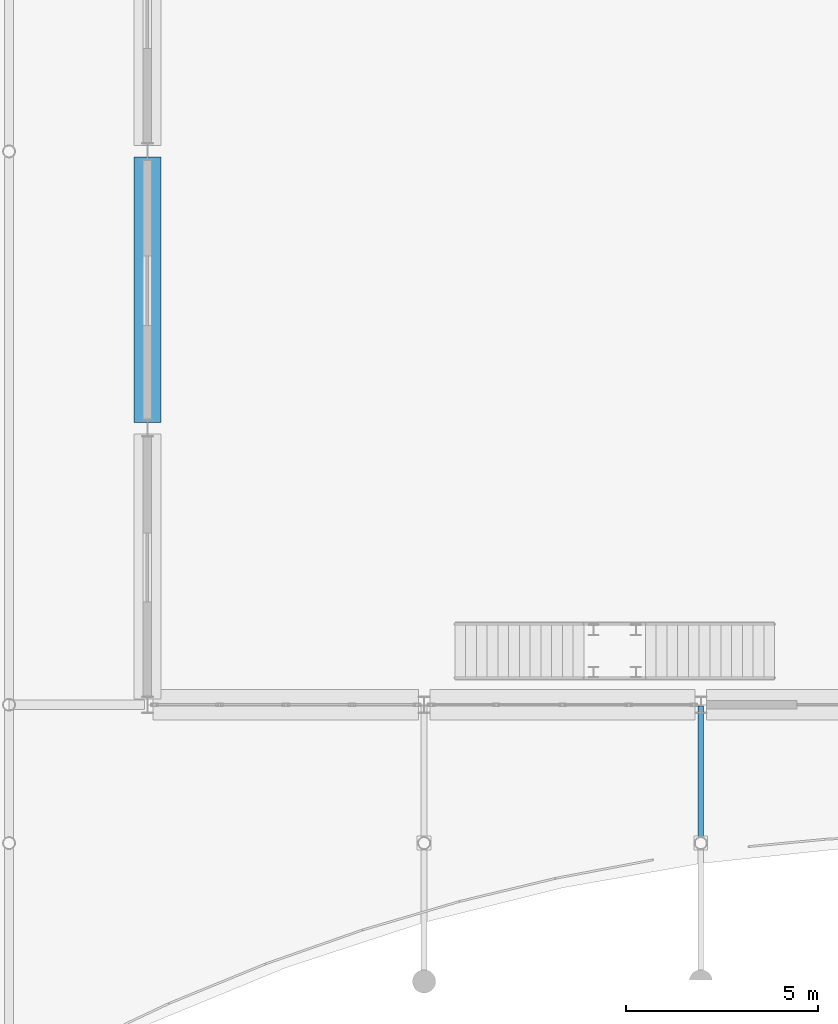
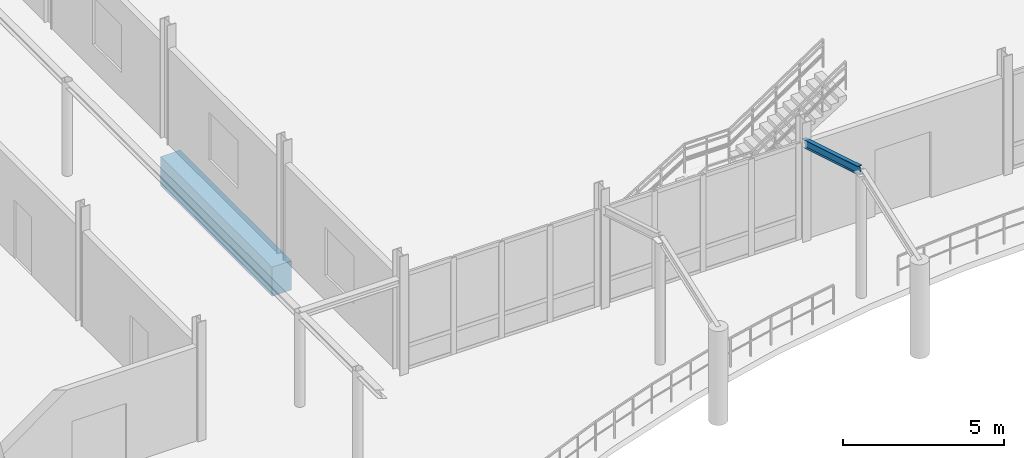
# One storey, part 39 of 139: 2 beams.
"""IFC4 building model written with IfcOpenShell, lengths in metres."""

from ifc_helpers import new_model, si_unit, direction, frame, origin, origin_2d, place, context, subcontext, project, spatial, rectangle, i_section, extrude, material, material_profile, profile_set, type_object, element, save


model = new_model("IFC4")

# Units and contexts
model_context = context("Model", 3, precision=1e-05, world=origin(), true_north=direction((0.0, 1.0)))
body_context = subcontext(model_context, "Body", "Model", "MODEL_VIEW")
ifc_project = project(units=[si_unit("LENGTHUNIT", "METRE"), si_unit("AREAUNIT", "SQUARE_METRE"), si_unit("VOLUMEUNIT", "CUBIC_METRE"), si_unit("PLANEANGLEUNIT", "RADIAN"), si_unit("MASSUNIT", "GRAM", prefix="KILO")], contexts=[model_context])

# Site, building, storey
site_placement = place(None, origin())
site = spatial("IfcSite", under=ifc_project, at=site_placement, CompositionType="ELEMENT")
building_placement = place(site_placement, origin())
building = spatial("IfcBuilding", under=site, at=building_placement, Name="Suanplinth Sawtooth Commons", CompositionType="ELEMENT")
storey_placement = place(building_placement, origin())
storey = spatial("IfcBuildingStorey", under=building, at=storey_placement, Name="L00", CompositionType="ELEMENT", Elevation=0.0)

# Beams
ifc_material_1 = material(Name="Concrete C40/50", Category="concrete")
ifc_material_profile_1 = material_profile(ifc_material_1, rectangle(XDim=0.699951171875, YDim=1.10009765625, at=origin_2d()), Name="RC-TG 700x1100")
ifc_profile_set_1 = profile_set([ifc_material_profile_1], Name="Concrete C40/50")
beam_type_1 = type_object("IfcBeamType", Name="B-02", PredefinedType="USERDEFINED", material=ifc_profile_set_1)
beam_1_placement = place(storey_placement, frame((64.800048828125, 57.75, -0.9599609375), z_axis=(0.0, 1.0, 0.0), x_axis=(-1.0, 0.0, 0.0)))
element("IfcBeam", 1, at=beam_1_placement, inside=storey, type_object=beam_type_1, Name="BMY-L00-HALL-9-8", ObjectType="GIRDER", PredefinedType="USERDEFINED", context=body_context, shape_type="SweptSolid", body=[
    extrude(rectangle(XDim=0.699951171875, YDim=1.10009765625, at=origin_2d()), origin(), (0.0, 0.0, 1.0), 6.89990234375),
])
ifc_material_2 = material(Name="Steel S355JR", Category="steel")
ifc_material_profile_2 = material_profile(ifc_material_2, i_section(OverallWidth=0.14990234375, OverallDepth=0.300048828125, WebThickness=0.007080078125, FlangeThickness=0.0107421875, at=origin_2d()), Name="IPE 300")
ifc_profile_set_2 = profile_set([ifc_material_profile_2], Name="Steel S355JR")
beam_type_2 = type_object("IfcBeamType", Name="B-13", PredefinedType="BEAM", material=ifc_profile_set_2)
beam_2_placement = place(storey_placement, frame((79.199951171875, 50.320068359375, 3.64990234375), z_axis=(0.0, -0.957135909973, 0.2896391718), x_axis=(1.0, 0.0, 0.0)))
element("IfcBeam", 2, at=beam_2_placement, inside=storey, type_object=beam_type_2, Name="Metro Portal Rafter N 12", PredefinedType="BEAM", context=body_context, shape_type="SweptSolid", body=[
    extrude(i_section(OverallWidth=0.14990234375, OverallDepth=0.300048828125, WebThickness=0.007080078125, FlangeThickness=0.0107421875, at=origin_2d()), origin(), (0.0, 0.0, 1.0), 3.62548828125),
])

save(model, "model.ifc")
